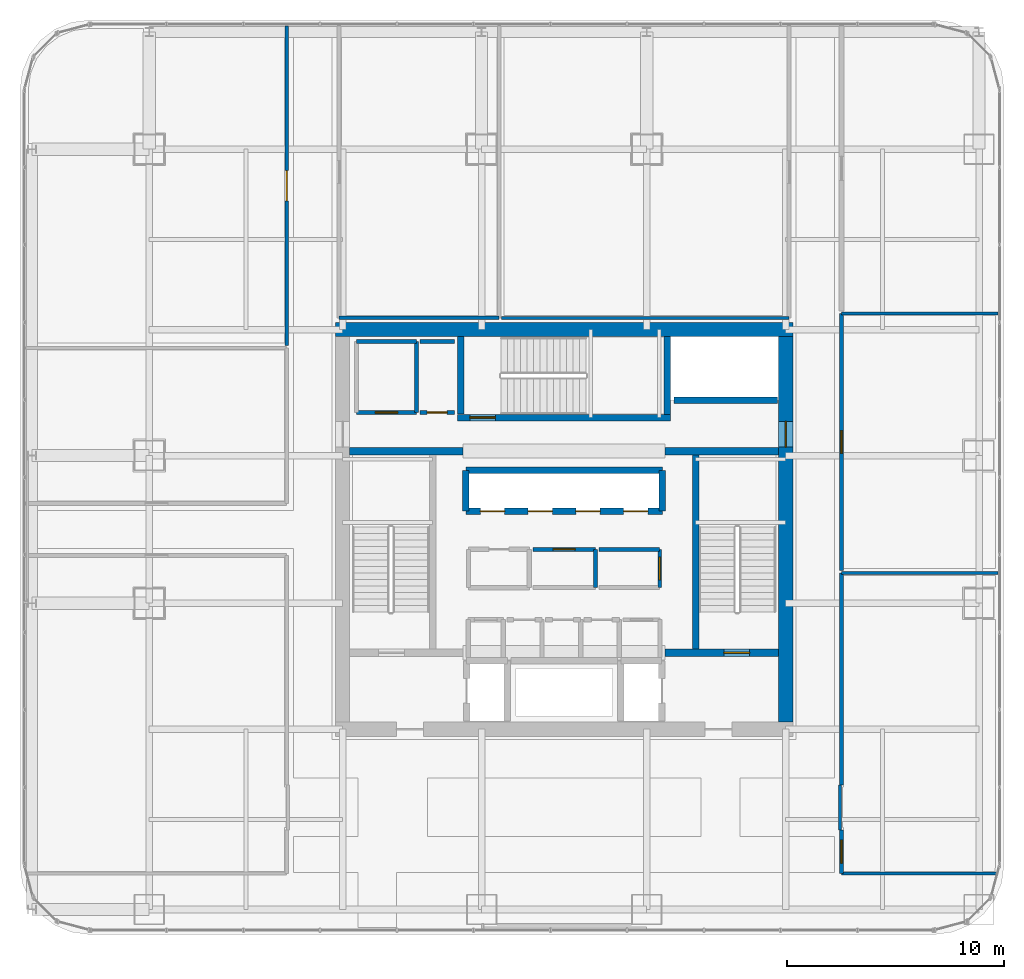
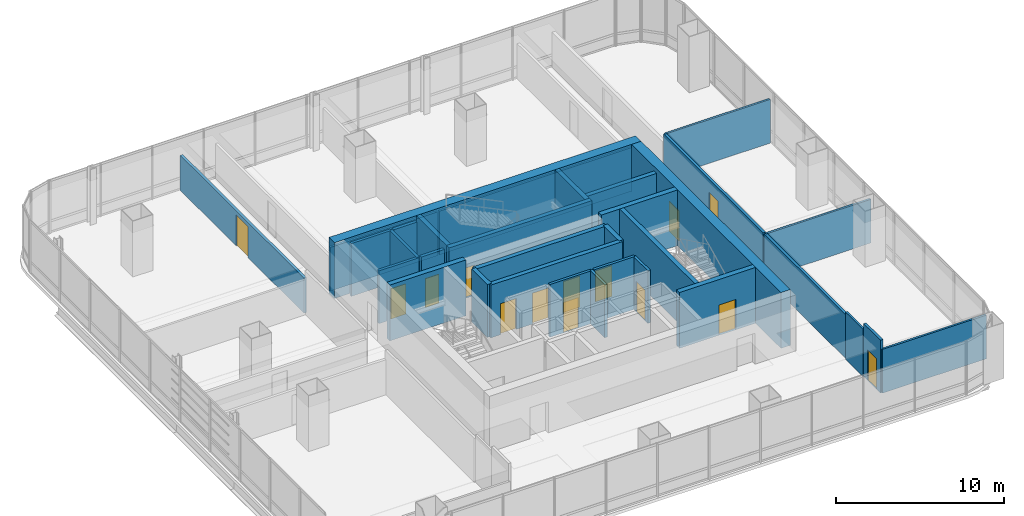
# One storey, part 31 of 38: 33 walls, 14 doors, 14 openings.
"""IFC4 building model written with IfcOpenShell, lengths in metres."""

from ifc_helpers import new_model, si_unit, direction, frame, frame_2d, origin, place, context, subcontext, project, spatial, rectangle, extrude, material, layer, layer_set, type_object, element, fill, save


model = new_model("IFC4")

# Units and contexts
model_context = context("Model", 3, precision=1e-05, world=origin(), true_north=direction((0.0, 1.0)))
body_context = subcontext(model_context, "Body", "Model", "MODEL_VIEW")
ifc_project = project(units=[si_unit("LENGTHUNIT", "METRE"), si_unit("AREAUNIT", "SQUARE_METRE"), si_unit("VOLUMEUNIT", "CUBIC_METRE"), si_unit("PLANEANGLEUNIT", "RADIAN"), si_unit("MASSUNIT", "GRAM", prefix="KILO")], contexts=[model_context])

# Site, building, storey
site_placement = place(None, origin())
site = spatial("IfcSite", under=ifc_project, at=site_placement, CompositionType="ELEMENT")
building_placement = place(site_placement, origin())
building = spatial("IfcBuilding", under=site, at=building_placement, Name="Punatoya Terracotta Tower", CompositionType="ELEMENT")
storey_placement = place(building_placement, frame((0.0, 0.0, 143.85009765625)))
storey = spatial("IfcBuildingStorey", under=building, at=storey_placement, Name="L33", CompositionType="ELEMENT", Elevation=143.85009765625)

# Wall
ifc_material_1 = material(Name="Concrete C60/75", Category="concrete")
ifc_layer_1 = layer(ifc_material_1, 0.64990234375)
ifc_layer_set_1 = layer_set([ifc_layer_1], Name="Concrete C60/75")
wall_type_1 = type_object("IfcWallType", Name="WL-COR-650", PredefinedType="SHEAR", material=ifc_layer_set_1)
wall_1_placement = place(storey_placement, frame((-10.52490234375, 9.199951171875, 0.0), z_axis=(0.0, 0.0, 1.0), x_axis=(1.0, 0.0, 0.0)))
element("IfcWall", 1, at=wall_1_placement, inside=storey, type_object=wall_type_1, Name="L33 Core Shear Wall N", PredefinedType="SHEAR", context=body_context, shape_type="SweptSolid", body=[
    extrude(rectangle(XDim=21.0498046875, YDim=0.64990234375, at=frame_2d((10.52490234375, 0.0))), origin(), (0.0, 0.0, 1.0), 4.0498046875),
])

# Wall, opening, door
wall_2_placement = place(storey_placement, frame((10.199951171875, 8.875, 0.0), z_axis=(0.0, 0.0, 1.0), x_axis=(0.0, -1.0, 0.0)))
wall_2 = element("IfcWall", 2, at=wall_2_placement, inside=storey, type_object=wall_type_1, Name="L33 Core Shear Wall E", PredefinedType="SHEAR", context=body_context, shape_type="SweptSolid", body=[
    extrude(rectangle(XDim=17.75, YDim=0.64990234375, at=frame_2d((8.875, 0.0))), origin(), (0.0, 0.0, 1.0), 4.0498046875),
])
opening_1_placement = place(wall_2_placement, frame((3.905029296875, 0.0, 0.0)))
opening_1 = element("IfcOpeningElement", 3, at=opening_1_placement, cuts=wall_2, Name="Opening SD-01", PredefinedType="OPENING", context=body_context, shape_type="SweptSolid", body=[
    extrude(rectangle(XDim=1.179931640625, YDim=2.199951171875, at=frame_2d((0.58984375, 1.10009765625))), frame((0.0, 0.3349609375, 0.0), z_axis=(0.0, -1.0, 0.0), x_axis=(1.0, 0.0, 0.0)), (0.0, 0.0, 1.0), 0.669921875),
])
ifc_material_2 = material(Name="Galvanised Steel Pressurized Stair Fire Door", Category="steel")
door_type_1 = type_object("IfcDoorType", Name="DR-STR-1180", OperationType="NOTDEFINED", PredefinedType="DOOR", material=ifc_material_2)
door_1_placement = place(opening_1_placement, origin())
door_1 = element("IfcDoor", 4, at=door_1_placement, inside=storey, type_object=door_type_1, Name="L33 Central Lift Lobby East Fire Door", OperationType="SINGLE_SWING_RIGHT", OverallHeight=2.199951171875, OverallWidth=1.179931640625, PredefinedType="DOOR", context=body_context, shape_type="SweptSolid", body=[
    extrude(rectangle(XDim=1.179931640625, YDim=2.199951171875, at=frame_2d((0.58984375, 1.10009765625))), frame((0.0, 0.02490234375, 0.0), z_axis=(0.0, -1.0, 0.0), x_axis=(1.0, 0.0, 0.0)), (0.0, 0.0, 1.0), 0.050048828125),
])
fill(opening_1, door_1)

# Wall
ifc_material_3 = material(Name="Gypsum Fireboard + Steel Stud", Category="steel")
ifc_layer_2 = layer(ifc_material_3, 0.179931640625)
ifc_layer_set_2 = layer_set([ifc_layer_2], Name="Gypsum Fireboard + Steel Stud")
wall_type_2 = type_object("IfcWallType", Name="WL-CORR-180", PredefinedType="PARTITIONING", material=ifc_layer_set_2)
wall_3_placement = place(storey_placement, frame((1.43994140625, -2.679931640625, 0.0), z_axis=(0.0, 0.0, 1.0), x_axis=(0.0, 1.0, 0.0)))
element("IfcWall", 5, at=wall_3_placement, inside=storey, type_object=wall_type_2, Name="L33 Center Core Briefing Pod Partition 16", PredefinedType="PARTITIONING", context=body_context, shape_type="SweptSolid", body=[
    extrude(rectangle(XDim=1.760009765625, YDim=0.179931640625, at=frame_2d((0.8798828125, 0.0))), origin(), (0.0, 0.0, 1.0), 3.829833984375),
])

# Wall, opening, door
wall_4_placement = place(storey_placement, frame((1.43994140625, -0.919921875, 0.0), z_axis=(0.0, 0.0, 1.0), x_axis=(-1.0, 0.0, 0.0)))
wall_4 = element("IfcWall", 6, at=wall_4_placement, inside=storey, type_object=wall_type_2, Name="L33 Center Core Briefing Pod Partition 17", PredefinedType="PARTITIONING", context=body_context, shape_type="SweptSolid", body=[
    extrude(rectangle(XDim=2.8798828125, YDim=0.179931640625, at=frame_2d((1.43994140625, 0.0))), origin(), (0.0, 0.0, 1.0), 3.829833984375),
])
opening_2_placement = place(wall_4_placement, frame((0.929931640625, 0.0, 0.0)))
opening_2 = element("IfcOpeningElement", 7, at=opening_2_placement, cuts=wall_4, Name="Opening MD-01", PredefinedType="OPENING", context=body_context, shape_type="SweptSolid", body=[
    extrude(rectangle(XDim=1.02001953125, YDim=2.199951171875, at=frame_2d((0.510009765625, 1.10009765625))), frame((0.0, 0.099853515625, 0.0), z_axis=(0.0, -1.0, 0.0), x_axis=(1.0, 0.0, 0.0)), (0.0, 0.0, 1.0), 0.199951171875),
])
ifc_material_4 = material(Name="Aluminium + Acoustic Glass Leaf", Category="aluminium")
door_type_2 = type_object("IfcDoorType", Name="DR-MTG-1020", OperationType="NOTDEFINED", PredefinedType="DOOR", material=ifc_material_4)
door_2_placement = place(opening_2_placement, origin())
door_2 = element("IfcDoor", 8, at=door_2_placement, inside=storey, type_object=door_type_2, Name="L33 Center Briefing Pod Door", OperationType="SINGLE_SWING_LEFT", OverallHeight=2.199951171875, OverallWidth=1.02001953125, PredefinedType="DOOR", context=body_context, shape_type="SweptSolid", body=[
    extrude(rectangle(XDim=1.02001953125, YDim=2.199951171875, at=frame_2d((0.510009765625, 1.10009765625))), frame((0.0, 0.02490234375, 0.0), z_axis=(0.0, -1.0, 0.0), x_axis=(1.0, 0.0, 0.0)), (0.0, 0.0, 1.0), 0.050048828125),
])
fill(opening_2, door_2)

wall_5_placement = place(storey_placement, frame((4.39990234375, -2.679931640625, 0.0), z_axis=(0.0, 0.0, 1.0), x_axis=(0.0, 1.0, 0.0)))
wall_5 = element("IfcWall", 9, at=wall_5_placement, inside=storey, type_object=wall_type_2, Name="L33 Right Core Copy Room Partition 19", PredefinedType="PARTITIONING", context=body_context, shape_type="SweptSolid", body=[
    extrude(rectangle(XDim=1.760009765625, YDim=0.179931640625, at=frame_2d((0.8798828125, 0.0))), origin(), (0.0, 0.0, 1.0), 3.829833984375),
])
opening_3_placement = place(wall_5_placement, frame((0.35498046875, 0.0, 0.0)))
opening_3 = element("IfcOpeningElement", 10, at=opening_3_placement, cuts=wall_5, Name="Opening OD-01", PredefinedType="OPENING", context=body_context, shape_type="SweptSolid", body=[
    extrude(rectangle(XDim=1.050048828125, YDim=2.199951171875, at=frame_2d((0.52490234375, 1.10009765625))), frame((0.0, 0.099853515625, 0.0), z_axis=(0.0, -1.0, 0.0), x_axis=(1.0, 0.0, 0.0)), (0.0, 0.0, 1.0), 0.199951171875),
])
ifc_material_5 = material(Name="Bengal Teak Solid-Core Leaf")
door_type_3 = type_object("IfcDoorType", Name="DR-OFF-1050", OperationType="NOTDEFINED", PredefinedType="DOOR", material=ifc_material_5)
door_3_placement = place(opening_3_placement, origin())
door_3 = element("IfcDoor", 11, at=door_3_placement, inside=storey, type_object=door_type_3, Name="L33 Right Copy Room Door", OperationType="SINGLE_SWING_RIGHT", OverallHeight=2.199951171875, OverallWidth=1.050048828125, PredefinedType="DOOR", context=body_context, shape_type="SweptSolid", body=[
    extrude(rectangle(XDim=1.050048828125, YDim=2.199951171875, at=frame_2d((0.52490234375, 1.10009765625))), frame((0.0, 0.02490234375, 0.0), z_axis=(0.0, -1.0, 0.0), x_axis=(1.0, 0.0, 0.0)), (0.0, 0.0, 1.0), 0.050048828125),
])
fill(opening_3, door_3)

# Walls
wall_6_placement = place(storey_placement, frame((4.39990234375, -0.919921875, 0.0), z_axis=(0.0, 0.0, 1.0), x_axis=(-1.0, 0.0, 0.0)))
element("IfcWall", 12, at=wall_6_placement, inside=storey, type_object=wall_type_2, Name="L33 Right Core Copy Room Partition 20", PredefinedType="PARTITIONING", context=body_context, shape_type="SweptSolid", body=[
    extrude(rectangle(XDim=2.7998046875, YDim=0.179931640625, at=frame_2d((1.39990234375, 0.0))), origin(), (0.0, 0.0, 1.0), 3.829833984375),
])
wall_7_placement = place(storey_placement, frame((-6.800048828125, 5.3798828125, 0.0), z_axis=(0.0, 0.0, 1.0), x_axis=(0.0, 1.0, 0.0)))
element("IfcWall", 13, at=wall_7_placement, inside=storey, type_object=wall_type_2, Name="L33 West Core Briefing Pod Partition 22", PredefinedType="PARTITIONING", context=body_context, shape_type="SweptSolid", body=[
    extrude(rectangle(XDim=3.27001953125, YDim=0.179931640625, at=frame_2d((1.635009765625, 0.0))), origin(), (0.0, 0.0, 1.0), 3.829833984375),
])
wall_8_placement = place(storey_placement, frame((-6.800048828125, 8.64990234375, 0.0), z_axis=(0.0, 0.0, 1.0), x_axis=(-1.0, 0.0, 0.0)))
element("IfcWall", 14, at=wall_8_placement, inside=storey, type_object=wall_type_2, Name="L33 West Core Briefing Pod Partition 23", PredefinedType="PARTITIONING", context=body_context, shape_type="SweptSolid", body=[
    extrude(rectangle(XDim=2.75, YDim=0.179931640625, at=frame_2d((1.375, 0.0))), origin(), (0.0, 0.0, 1.0), 3.829833984375),
])

# Wall, opening, door
wall_9_placement = place(storey_placement, frame((-9.550048828125, 5.3798828125, 0.0), z_axis=(0.0, 0.0, 1.0), x_axis=(1.0, 0.0, 0.0)))
wall_9 = element("IfcWall", 15, at=wall_9_placement, inside=storey, type_object=wall_type_2, Name="L33 West Core Briefing Pod Partition 25", PredefinedType="PARTITIONING", context=body_context, shape_type="SweptSolid", body=[
    extrude(rectangle(XDim=2.75, YDim=0.179931640625, at=frame_2d((1.375, 0.0))), origin(), (0.0, 0.0, 1.0), 3.829833984375),
])
opening_4_placement = place(wall_9_placement, frame((0.864990234375, 0.0, 0.0)))
opening_4 = element("IfcOpeningElement", 16, at=opening_4_placement, cuts=wall_9, Name="Opening MD-01", PredefinedType="OPENING", context=body_context, shape_type="SweptSolid", body=[
    extrude(rectangle(XDim=1.02001953125, YDim=2.199951171875, at=frame_2d((0.510009765625, 1.10009765625))), frame((0.0, 0.099853515625, 0.0), z_axis=(0.0, -1.0, 0.0), x_axis=(1.0, 0.0, 0.0)), (0.0, 0.0, 1.0), 0.199951171875),
])
door_4_placement = place(opening_4_placement, origin())
door_4 = element("IfcDoor", 17, at=door_4_placement, inside=storey, type_object=door_type_2, Name="L33 West Briefing Pod Door", OperationType="SINGLE_SWING_LEFT", OverallHeight=2.199951171875, OverallWidth=1.02001953125, PredefinedType="DOOR", context=body_context, shape_type="SweptSolid", body=[
    extrude(rectangle(XDim=1.02001953125, YDim=2.199951171875, at=frame_2d((0.510009765625, 1.10009765625))), frame((0.0, 0.02490234375, 0.0), z_axis=(0.0, -1.0, 0.0), x_axis=(1.0, 0.0, 0.0)), (0.0, 0.0, 1.0), 0.050048828125),
])
fill(opening_4, door_4)

wall_10_placement = place(storey_placement, frame((12.77001953125, -15.840087890625, 0.0), z_axis=(0.0, 0.0, 1.0), x_axis=(0.0, 1.0, 0.0)))
wall_10 = element("IfcWall", 18, at=wall_10_placement, inside=storey, type_object=wall_type_2, Name="L33 Open-Plan Computational Simulation Laboratory Partition 29", PredefinedType="PARTITIONING", context=body_context, shape_type="SweptSolid", body=[
    extrude(rectangle(XDim=2.010009765625, YDim=0.179931640625, at=frame_2d((1.0048828125, 0.0))), origin(), (0.0, 0.0, 1.0), 3.829833984375),
])
opening_5_placement = place(wall_10_placement, frame((0.47998046875, 0.0, 0.0)))
opening_5 = element("IfcOpeningElement", 19, at=opening_5_placement, cuts=wall_10, Name="Opening OD-01", PredefinedType="OPENING", context=body_context, shape_type="SweptSolid", body=[
    extrude(rectangle(XDim=1.050048828125, YDim=2.199951171875, at=frame_2d((0.52490234375, 1.10009765625))), frame((0.0, 0.099853515625, 0.0), z_axis=(0.0, -1.0, 0.0), x_axis=(1.0, 0.0, 0.0)), (0.0, 0.0, 1.0), 0.199951171875),
])
door_5_placement = place(opening_5_placement, origin())
door_5 = element("IfcDoor", 20, at=door_5_placement, inside=storey, type_object=door_type_3, Name="L33 Open-Plan Computational Simulation Laboratory Door", OperationType="SINGLE_SWING_LEFT", OverallHeight=2.199951171875, OverallWidth=1.050048828125, PredefinedType="DOOR", context=body_context, shape_type="SweptSolid", body=[
    extrude(rectangle(XDim=1.050048828125, YDim=2.199951171875, at=frame_2d((0.52490234375, 1.10009765625))), frame((0.0, 0.02490234375, 0.0), z_axis=(0.0, -1.0, 0.0), x_axis=(1.0, 0.0, 0.0)), (0.0, 0.0, 1.0), 0.050048828125),
])
fill(opening_5, door_5)

# Wall
wall_11_placement = place(storey_placement, frame((12.77001953125, -11.77001953125, 0.0), z_axis=(0.0, 0.0, 1.0), x_axis=(0.0, 1.0, 0.0)))
element("IfcWall", 21, at=wall_11_placement, inside=storey, type_object=wall_type_2, Name="L33 Open-Plan Computational Simulation Laboratory Partition 31", PredefinedType="PARTITIONING", context=body_context, shape_type="SweptSolid", body=[
    extrude(rectangle(XDim=9.757080078125, YDim=0.179931640625, at=frame_2d((4.87841796875, 0.0))), origin(), (0.0, 0.0, 1.0), 3.173828125),
])

# Wall, opening, door
wall_12_placement = place(storey_placement, frame((12.77001953125, -1.89306640625, 0.0), z_axis=(0.0, 0.0, 1.0), x_axis=(0.0, 1.0, 0.0)))
wall_12 = element("IfcWall", 22, at=wall_12_placement, inside=storey, type_object=wall_type_2, Name="L33 Open-Plan Materials Testing Laboratory Partition 38", PredefinedType="PARTITIONING", context=body_context, shape_type="SweptSolid", body=[
    extrude(rectangle(XDim=11.8349609375, YDim=0.179931640625, at=frame_2d((5.91748046875, 0.0))), origin(), (0.0, 0.0, 1.0), 3.173828125),
])
opening_6_placement = place(wall_12_placement, frame((5.392578125, 0.0, 0.0)))
opening_6 = element("IfcOpeningElement", 23, at=opening_6_placement, cuts=wall_12, Name="Opening OD-01", PredefinedType="OPENING", context=body_context, shape_type="SweptSolid", body=[
    extrude(rectangle(XDim=1.050048828125, YDim=2.199951171875, at=frame_2d((0.52490234375, 1.10009765625))), frame((0.0, 0.099853515625, 0.0), z_axis=(0.0, -1.0, 0.0), x_axis=(1.0, 0.0, 0.0)), (0.0, 0.0, 1.0), 0.199951171875),
])
door_6_placement = place(opening_6_placement, origin())
door_6 = element("IfcDoor", 24, at=door_6_placement, inside=storey, type_object=door_type_3, Name="L33 Open-Plan Materials Testing Laboratory Door", OperationType="SINGLE_SWING_LEFT", OverallHeight=2.199951171875, OverallWidth=1.050048828125, PredefinedType="DOOR", context=body_context, shape_type="SweptSolid", body=[
    extrude(rectangle(XDim=1.050048828125, YDim=2.199951171875, at=frame_2d((0.52490234375, 1.10009765625))), frame((0.0, 0.02490234375, 0.0), z_axis=(0.0, -1.0, 0.0), x_axis=(1.0, 0.0, 0.0)), (0.0, 0.0, 1.0), 0.050048828125),
])
fill(opening_6, door_6)

wall_13_placement = place(storey_placement, frame((-12.77001953125, 23.169921875, 0.0), z_axis=(0.0, 0.0, 1.0), x_axis=(0.0, -1.0, 0.0)))
wall_13 = element("IfcWall", 25, at=wall_13_placement, inside=storey, type_object=wall_type_2, Name="L33 Technical Seminar Room Partition 43", PredefinedType="PARTITIONING", context=body_context, shape_type="SweptSolid", body=[
    extrude(rectangle(XDim=14.700927734375, YDim=0.179931640625, at=frame_2d((7.3505859375, 0.0))), origin(), (0.0, 0.0, 1.0), 2.5439453125),
])
opening_7_placement = place(wall_13_placement, frame((6.650390625, 0.0, 0.0)))
opening_7 = element("IfcOpeningElement", 26, at=opening_7_placement, cuts=wall_13, Name="Opening BD-01", PredefinedType="OPENING", context=body_context, shape_type="SweptSolid", body=[
    extrude(rectangle(XDim=1.39990234375, YDim=2.25, at=frame_2d((0.699951171875, 1.125))), frame((0.0, 0.099853515625, 0.0), z_axis=(0.0, -1.0, 0.0), x_axis=(1.0, 0.0, 0.0)), (0.0, 0.0, 1.0), 0.199951171875),
])
ifc_material_6 = material(Name="Bengal Teak Acoustic Leaf")
door_type_4 = type_object("IfcDoorType", Name="DR-BRD-1400", OperationType="NOTDEFINED", PredefinedType="DOOR", material=ifc_material_6)
door_7_placement = place(opening_7_placement, origin())
door_7 = element("IfcDoor", 27, at=door_7_placement, inside=storey, type_object=door_type_4, Name="L33 Technical Seminar Room Door", OperationType="SINGLE_SWING_LEFT", OverallHeight=2.25, OverallWidth=1.39990234375, PredefinedType="DOOR", context=body_context, shape_type="SweptSolid", body=[
    extrude(rectangle(XDim=1.39990234375, YDim=2.25, at=frame_2d((0.699951171875, 1.125))), frame((0.0, 0.02490234375, 0.0), z_axis=(0.0, -1.0, 0.0), x_axis=(1.0, 0.0, 0.0)), (0.0, 0.0, 1.0), 0.050048828125),
])
fill(opening_7, door_7)

# Wall
ifc_material_7 = material(Name="Concrete C40/50", Category="concrete")
ifc_layer_3 = layer(ifc_material_7, 0.199951171875)
ifc_layer_set_3 = layer_set([ifc_layer_3], Name="Concrete C40/50")
wall_type_3 = type_object("IfcWallType", Name="WL-INT-200", PredefinedType="SOLIDWALL", material=ifc_layer_set_3)
wall_14_placement = place(storey_placement, frame((-5.050048828125, 8.64990234375, 0.0), z_axis=(0.0, 0.0, 1.0), x_axis=(-1.0, 0.0, 0.0)))
element("IfcWall", 28, at=wall_14_placement, inside=storey, type_object=wall_type_3, Name="L33 West Core Supply Store Partition 26", PredefinedType="SOLIDWALL", context=body_context, shape_type="SweptSolid", body=[
    extrude(rectangle(XDim=1.58984375, YDim=0.199951171875, at=frame_2d((0.794921875, 0.0))), origin(), (0.0, 0.0, 1.0), 3.829833984375),
])

# Wall, opening, door
wall_15_placement = place(storey_placement, frame((-6.639892578125, 5.3798828125, 0.0), z_axis=(0.0, 0.0, 1.0), x_axis=(1.0, 0.0, 0.0)))
wall_15 = element("IfcWall", 29, at=wall_15_placement, inside=storey, type_object=wall_type_3, Name="L33 West Core Supply Store Partition 27", PredefinedType="SOLIDWALL", context=body_context, shape_type="SweptSolid", body=[
    extrude(rectangle(XDim=1.58984375, YDim=0.199951171875, at=frame_2d((0.794921875, 0.0))), origin(), (0.0, 0.0, 1.0), 3.829833984375),
])
opening_8_placement = place(wall_15_placement, frame((0.3349609375, 0.0, 0.0)))
opening_8 = element("IfcOpeningElement", 30, at=opening_8_placement, cuts=wall_15, Name="Opening FD-R1", PredefinedType="OPENING", context=body_context, shape_type="SweptSolid", body=[
    extrude(rectangle(XDim=0.919921875, YDim=2.10009765625, at=frame_2d((0.4599609375, 1.050048828125))), frame((0.0, 0.10986328125, 0.0), z_axis=(0.0, -1.0, 0.0), x_axis=(1.0, 0.0, 0.0)), (0.0, 0.0, 1.0), 0.219970703125),
])
ifc_material_8 = material(Name="Galvanised Steel Riser Fire Access Door", Category="steel")
door_type_5 = type_object("IfcDoorType", Name="DR-RSR-920", OperationType="NOTDEFINED", PredefinedType="DOOR", material=ifc_material_8)
door_8_placement = place(opening_8_placement, origin())
door_8 = element("IfcDoor", 31, at=door_8_placement, inside=storey, type_object=door_type_5, Name="L33 West Core Supply Store Fire Door", OperationType="SINGLE_SWING_RIGHT", OverallHeight=2.10009765625, OverallWidth=0.919921875, PredefinedType="DOOR", context=body_context, shape_type="SweptSolid", body=[
    extrude(rectangle(XDim=0.919921875, YDim=2.10009765625, at=frame_2d((0.4599609375, 1.050048828125))), frame((0.0, 0.02490234375, 0.0), z_axis=(0.0, -1.0, 0.0), x_axis=(1.0, 0.0, 0.0)), (0.0, 0.0, 1.0), 0.050048828125),
])
fill(opening_8, door_8)

# Walls
ifc_material_9 = material(Name="Acoustic Gypsum + Steel Stud", Category="steel")
ifc_layer_4 = layer(ifc_material_9, 0.139892578125)
ifc_layer_set_4 = layer_set([ifc_layer_4], Name="Acoustic Gypsum + Steel Stud")
wall_type_4 = type_object("IfcWallType", Name="WL-OFF-140", PredefinedType="PARTITIONING", material=ifc_layer_set_4)
wall_16_placement = place(storey_placement, frame((19.916259765625, -15.840087890625, 0.0), z_axis=(0.0, 0.0, 1.0), x_axis=(-1.0, 0.0, 0.0)))
element("IfcWall", 32, at=wall_16_placement, inside=storey, type_object=wall_type_4, Name="L33 Open-Plan Computational Simulation Laboratory Partition 28", PredefinedType="PARTITIONING", context=body_context, shape_type="SweptSolid", body=[
    extrude(rectangle(XDim=7.146240234375, YDim=0.139892578125, at=frame_2d((3.5732421875, 0.0))), origin(), (0.0, 0.0, 1.0), 3.173828125),
])
wall_17_placement = place(storey_placement, frame((12.7099609375, -13.830078125, 0.0), z_axis=(0.0, 0.0, 1.0), x_axis=(0.0, 1.0, 0.0)))
element("IfcWall", 33, at=wall_17_placement, inside=storey, type_object=wall_type_4, Name="L33 Open-Plan Computational Simulation Laboratory Partition 30", PredefinedType="PARTITIONING", context=body_context, shape_type="SweptSolid", body=[
    extrude(rectangle(XDim=2.06005859375, YDim=0.139892578125, at=frame_2d((1.030029296875, 0.0))), origin(), (0.0, 0.0, 1.0), 3.423828125),
])
for number, where, z_axis, x_axis, name in (
    (34, (12.77001953125, -2.012939453125, 0.0), (0.0, 0.0, 1.0), (1.0, 0.0, 0.0), "L33 Open-Plan Computational Simulation Laboratory Partition 32"),
    (35, (12.77001953125, 9.94189453125, 0.0), (0.0, 0.0, 1.0), (1.0, 0.0, 0.0), "L33 Open-Plan Materials Testing Laboratory Partition 39"),
):
    element("IfcWall", number, at=place(storey_placement, frame(where, z_axis=z_axis, x_axis=x_axis)), inside=storey, type_object=wall_type_4, Name=name, PredefinedType="PARTITIONING", context=body_context, shape_type="SweptSolid", body=[
        extrude(rectangle(XDim=7.199951171875, YDim=0.139892578125, at=frame_2d((3.60009765625, 0.0))), origin(), (0.0, 0.0, 1.0), 3.173828125),
    ])
wall_18_placement = place(storey_placement, frame((10.360107421875, 9.739990234375, 0.0), z_axis=(0.0, 0.0, 1.0), x_axis=(-1.0, 0.0, 0.0)))
element("IfcWall", 36, at=wall_18_placement, inside=storey, type_object=wall_type_4, Name="L33 Wellness Rest Room Partition 47", PredefinedType="PARTITIONING", context=body_context, shape_type="SweptSolid", body=[
    extrude(rectangle(XDim=13.234130859375, YDim=0.139892578125, at=frame_2d((6.6171875, 0.0))), origin(), (0.0, 0.0, 1.0), 3.173828125),
])
ifc_layer_5 = layer(ifc_material_7, 0.300048828125)
ifc_layer_set_5 = layer_set([ifc_layer_5], Name="Concrete C40/50")
wall_type_5 = type_object("IfcWallType", Name="WL-SHF-300", PredefinedType="SOLIDWALL", material=ifc_layer_set_5)
wall_19_placement = place(storey_placement, frame((6.050048828125, 3.449951171875, 0.0), z_axis=(0.0, 0.0, 1.0), x_axis=(0.0, -1.0, 0.0)))
element("IfcWall", 37, at=wall_19_placement, inside=storey, type_object=wall_type_5, Name="L33 Structural Stair Shaft Wall SW-ST2-W", PredefinedType="SOLIDWALL", context=body_context, shape_type="SweptSolid", body=[
    extrude(rectangle(XDim=8.949951171875, YDim=0.300048828125, at=frame_2d((4.47509765625, 0.0))), origin(), (0.0, 0.0, 1.0), 4.0498046875),
])
for number, where, z_axis, x_axis, name in (
    (38, (-4.75, 5.300048828125, 0.0), (0.0, 0.0, 1.0), (0.0, 1.0, 0.0), "L33 Structural Stair Shaft Wall SW-ST3-W"),
    (39, (4.75, 8.875, 0.0), (0.0, 0.0, 1.0), (0.0, -1.0, 0.0), "L33 Structural Stair Shaft Wall SW-ST3-E"),
):
    element("IfcWall", number, at=place(storey_placement, frame(where, z_axis=z_axis, x_axis=x_axis)), inside=storey, type_object=wall_type_5, Name=name, PredefinedType="SOLIDWALL", context=body_context, shape_type="SweptSolid", body=[
        extrude(rectangle(XDim=3.574951171875, YDim=0.300048828125, at=frame_2d((1.78759765625, 0.0))), origin(), (0.0, 0.0, 1.0), 4.0498046875),
    ])

# Wall, opening, door
wall_20_placement = place(storey_placement, frame((-4.89990234375, 5.14990234375, 0.0), z_axis=(0.0, 0.0, 1.0), x_axis=(1.0, 0.0, 0.0)))
wall_20 = element("IfcWall", 40, at=wall_20_placement, inside=storey, type_object=wall_type_5, Name="L33 Structural Stair Shaft Wall SW-ST3-S", PredefinedType="SOLIDWALL", context=body_context, shape_type="SweptSolid", body=[
    extrude(rectangle(XDim=9.7998046875, YDim=0.300048828125, at=frame_2d((4.89990234375, 0.0))), origin(), (0.0, 0.0, 1.0), 4.0498046875),
])
opening_9_placement = place(wall_20_placement, frame((0.56005859375, 0.0, 0.0)))
opening_9 = element("IfcOpeningElement", 41, at=opening_9_placement, cuts=wall_20, Name="Opening SD-01", PredefinedType="OPENING", context=body_context, shape_type="SweptSolid", body=[
    extrude(rectangle(XDim=1.179931640625, YDim=2.199951171875, at=frame_2d((0.58984375, 1.10009765625))), frame((0.0, 0.159912109375, 0.0), z_axis=(0.0, -1.0, 0.0), x_axis=(1.0, 0.0, 0.0)), (0.0, 0.0, 1.0), 0.320068359375),
])
door_9_placement = place(opening_9_placement, origin())
door_9 = element("IfcDoor", 42, at=door_9_placement, inside=storey, type_object=door_type_1, Name="L33 Stair ST-3 Core Lobby Fire Door", OperationType="SINGLE_SWING_LEFT", OverallHeight=2.199951171875, OverallWidth=1.179931640625, PredefinedType="DOOR", context=body_context, shape_type="SweptSolid", body=[
    extrude(rectangle(XDim=1.179931640625, YDim=2.199951171875, at=frame_2d((0.58984375, 1.10009765625))), frame((0.0, 0.02490234375, 0.0), z_axis=(0.0, -1.0, 0.0), x_axis=(1.0, 0.0, 0.0)), (0.0, 0.0, 1.0), 0.050048828125),
])
fill(opening_9, door_9)

# Wall, openings, doors
wall_21_placement = place(storey_placement, frame((-4.52001953125, 0.840087890625, 0.0), z_axis=(0.0, 0.0, 1.0), x_axis=(1.0, 0.0, 0.0)))
wall_21 = element("IfcWall", 43, at=wall_21_placement, inside=storey, type_object=wall_type_5, Name="L33 North Lift Bank Front Shaft Wall", PredefinedType="SOLIDWALL", context=body_context, shape_type="SweptSolid", body=[
    extrude(rectangle(XDim=9.0400390625, YDim=0.300048828125, at=frame_2d((4.52001953125, 0.0))), origin(), (0.0, 0.0, 1.0), 3.829833984375),
])
opening_10_placement = place(wall_21_placement, frame((0.659912109375, 0.0, 0.0)))
opening_10 = element("IfcOpeningElement", 44, at=opening_10_placement, cuts=wall_21, Name="Opening LD-02", PredefinedType="OPENING", context=body_context, shape_type="SweptSolid", body=[
    extrude(rectangle(XDim=1.1201171875, YDim=2.25, at=frame_2d((0.56005859375, 1.125))), frame((0.0, 0.159912109375, 0.0), z_axis=(0.0, -1.0, 0.0), x_axis=(1.0, 0.0, 0.0)), (0.0, 0.0, 1.0), 0.320068359375),
])
opening_11_placement = place(wall_21_placement, frame((2.860107421875, 0.0, 0.0)))
opening_11 = element("IfcOpeningElement", 45, at=opening_11_placement, cuts=wall_21, Name="Opening LD-02", PredefinedType="OPENING", context=body_context, shape_type="SweptSolid", body=[
    extrude(rectangle(XDim=1.1201171875, YDim=2.25, at=frame_2d((0.56005859375, 1.125))), frame((0.0, 0.159912109375, 0.0), z_axis=(0.0, -1.0, 0.0), x_axis=(1.0, 0.0, 0.0)), (0.0, 0.0, 1.0), 0.320068359375),
])
opening_12_placement = place(wall_21_placement, frame((5.06005859375, 0.0, 0.0)))
opening_12 = element("IfcOpeningElement", 46, at=opening_12_placement, cuts=wall_21, Name="Opening LD-02", PredefinedType="OPENING", context=body_context, shape_type="SweptSolid", body=[
    extrude(rectangle(XDim=1.1201171875, YDim=2.25, at=frame_2d((0.56005859375, 1.125))), frame((0.0, 0.159912109375, 0.0), z_axis=(0.0, -1.0, 0.0), x_axis=(1.0, 0.0, 0.0)), (0.0, 0.0, 1.0), 0.320068359375),
])
opening_13_placement = place(wall_21_placement, frame((7.260009765625, 0.0, 0.0)))
opening_13 = element("IfcOpeningElement", 47, at=opening_13_placement, cuts=wall_21, Name="Opening LD-02", PredefinedType="OPENING", context=body_context, shape_type="SweptSolid", body=[
    extrude(rectangle(XDim=1.1201171875, YDim=2.25, at=frame_2d((0.56005859375, 1.125))), frame((0.0, 0.159912109375, 0.0), z_axis=(0.0, -1.0, 0.0), x_axis=(1.0, 0.0, 0.0)), (0.0, 0.0, 1.0), 0.320068359375),
])
ifc_material_10 = material(Name="Stainless Steel Lift Landing Door", Category="steel")
door_type_6 = type_object("IfcDoorType", Name="DR-LND-1120", OperationType="NOTDEFINED", PredefinedType="DOOR", material=ifc_material_10)
door_10_placement = place(opening_10_placement, origin())
door_10 = element("IfcDoor", 48, at=door_10_placement, inside=storey, type_object=door_type_6, Name="L33 Lift PL-M1 Sliding Landing Door", OperationType="DOUBLE_DOOR_SLIDING", OverallHeight=2.25, OverallWidth=1.1201171875, PredefinedType="DOOR", context=body_context, shape_type="SweptSolid", body=[
    extrude(rectangle(XDim=1.1201171875, YDim=2.25, at=frame_2d((0.56005859375, 1.125))), frame((0.0, 0.02490234375, 0.0), z_axis=(0.0, -1.0, 0.0), x_axis=(1.0, 0.0, 0.0)), (0.0, 0.0, 1.0), 0.050048828125),
])
fill(opening_10, door_10)
door_11_placement = place(opening_11_placement, origin())
door_11 = element("IfcDoor", 49, at=door_11_placement, inside=storey, type_object=door_type_6, Name="L33 Lift PL-M2 Sliding Landing Door", OperationType="DOUBLE_DOOR_SLIDING", OverallHeight=2.25, OverallWidth=1.1201171875, PredefinedType="DOOR", context=body_context, shape_type="SweptSolid", body=[
    extrude(rectangle(XDim=1.1201171875, YDim=2.25, at=frame_2d((0.56005859375, 1.125))), frame((0.0, 0.02490234375, 0.0), z_axis=(0.0, -1.0, 0.0), x_axis=(1.0, 0.0, 0.0)), (0.0, 0.0, 1.0), 0.050048828125),
])
fill(opening_11, door_11)
door_12_placement = place(opening_12_placement, origin())
door_12 = element("IfcDoor", 50, at=door_12_placement, inside=storey, type_object=door_type_6, Name="L33 Lift PL-M3 Sliding Landing Door", OperationType="DOUBLE_DOOR_SLIDING", OverallHeight=2.25, OverallWidth=1.1201171875, PredefinedType="DOOR", context=body_context, shape_type="SweptSolid", body=[
    extrude(rectangle(XDim=1.1201171875, YDim=2.25, at=frame_2d((0.56005859375, 1.125))), frame((0.0, 0.02490234375, 0.0), z_axis=(0.0, -1.0, 0.0), x_axis=(1.0, 0.0, 0.0)), (0.0, 0.0, 1.0), 0.050048828125),
])
fill(opening_12, door_12)
door_13_placement = place(opening_13_placement, origin())
door_13 = element("IfcDoor", 51, at=door_13_placement, inside=storey, type_object=door_type_6, Name="L33 Lift PL-M4 Sliding Landing Door", OperationType="DOUBLE_DOOR_SLIDING", OverallHeight=2.25, OverallWidth=1.1201171875, PredefinedType="DOOR", context=body_context, shape_type="SweptSolid", body=[
    extrude(rectangle(XDim=1.1201171875, YDim=2.25, at=frame_2d((0.56005859375, 1.125))), frame((0.0, 0.02490234375, 0.0), z_axis=(0.0, -1.0, 0.0), x_axis=(1.0, 0.0, 0.0)), (0.0, 0.0, 1.0), 0.050048828125),
])
fill(opening_13, door_13)

# Walls
wall_22_placement = place(storey_placement, frame((-4.52001953125, 2.719970703125, 0.0), z_axis=(0.0, 0.0, 1.0), x_axis=(1.0, 0.0, 0.0)))
element("IfcWall", 52, at=wall_22_placement, inside=storey, type_object=wall_type_5, Name="L33 North Lift Bank Rear Shaft Wall", PredefinedType="SOLIDWALL", context=body_context, shape_type="SweptSolid", body=[
    extrude(rectangle(XDim=9.0400390625, YDim=0.300048828125, at=frame_2d((4.52001953125, 0.0))), origin(), (0.0, 0.0, 1.0), 3.829833984375),
])
for number, where, z_axis, x_axis, name in (
    (53, (-4.52001953125, 0.840087890625, 0.0), (0.0, 0.0, 1.0), (0.0, 1.0, 0.0), "L33 North Lift Bank West End Wall"),
    (54, (4.52001953125, 0.840087890625, 0.0), (0.0, 0.0, 1.0), (0.0, 1.0, 0.0), "L33 North Lift Bank East End Wall"),
):
    element("IfcWall", number, at=place(storey_placement, frame(where, z_axis=z_axis, x_axis=x_axis)), inside=storey, type_object=wall_type_5, Name=name, PredefinedType="SOLIDWALL", context=body_context, shape_type="SweptSolid", body=[
        extrude(rectangle(XDim=1.8798828125, YDim=0.300048828125, at=frame_2d((0.93994140625, 0.0))), origin(), (0.0, 0.0, 1.0), 3.829833984375),
    ])
wall_23_placement = place(storey_placement, frame((5.06005859375, 5.949951171875, 0.0), z_axis=(0.0, 0.0, 1.0), x_axis=(1.0, 0.0, 0.0)))
element("IfcWall", 55, at=wall_23_placement, inside=storey, type_object=wall_type_5, Name="L33 Shuttle SL-2 South Hoistway Wall", PredefinedType="SOLIDWALL", context=body_context, shape_type="SweptSolid", body=[
    extrude(rectangle(XDim=4.760009765625, YDim=0.300048828125, at=frame_2d((2.3798828125, 0.0))), origin(), (0.0, 0.0, 1.0), 3.829833984375),
])

# Wall, opening, door
ifc_material_11 = material(Name="Concrete C50/60", Category="concrete")
ifc_layer_6 = layer(ifc_material_11, 0.35009765625)
ifc_layer_set_6 = layer_set([ifc_layer_6], Name="Concrete C50/60")
wall_type_6 = type_object("IfcWallType", Name="WL-SHF-350", PredefinedType="SOLIDWALL", material=ifc_layer_set_6)
wall_24_placement = place(storey_placement, frame((4.64990234375, -5.679931640625, 0.0), z_axis=(0.0, 0.0, 1.0), x_axis=(1.0, 0.0, 0.0)))
wall_24 = element("IfcWall", 56, at=wall_24_placement, inside=storey, type_object=wall_type_6, Name="L33 Core Web Wall CSW-R", PredefinedType="SOLIDWALL", context=body_context, shape_type="SweptSolid", body=[
    extrude(rectangle(XDim=5.22509765625, YDim=0.35009765625, at=frame_2d((2.612548828125, 0.0))), origin(), (0.0, 0.0, 1.0), 4.0498046875),
])
opening_14_placement = place(wall_24_placement, frame((2.7099609375, 0.0, 0.0)))
opening_14 = element("IfcOpeningElement", 57, at=opening_14_placement, cuts=wall_24, Name="Opening SD-01", PredefinedType="OPENING", context=body_context, shape_type="SweptSolid", body=[
    extrude(rectangle(XDim=1.179931640625, YDim=2.199951171875, at=frame_2d((0.58984375, 1.10009765625))), frame((0.0, 0.18505859375, 0.0), z_axis=(0.0, -1.0, 0.0), x_axis=(1.0, 0.0, 0.0)), (0.0, 0.0, 1.0), 0.3701171875),
])
door_14_placement = place(opening_14_placement, origin())
door_14 = element("IfcDoor", 58, at=door_14_placement, inside=storey, type_object=door_type_1, Name="L33 Stair ST-2 Smokeproof Lobby Fire Door", OperationType="SINGLE_SWING_RIGHT", OverallHeight=2.199951171875, OverallWidth=1.179931640625, PredefinedType="DOOR", context=body_context, shape_type="SweptSolid", body=[
    extrude(rectangle(XDim=1.179931640625, YDim=2.199951171875, at=frame_2d((0.58984375, 1.10009765625))), frame((0.0, 0.02490234375, 0.0), z_axis=(0.0, -1.0, 0.0), x_axis=(1.0, 0.0, 0.0)), (0.0, 0.0, 1.0), 0.050048828125),
])
fill(opening_14, door_14)

# Walls
for number, where, z_axis, x_axis, name in (
    (59, (-9.875, 3.60009765625, 0.0), (0.0, 0.0, 1.0), (1.0, 0.0, 0.0), "L33 Core Web Wall CNW-L"),
    (60, (4.64990234375, 3.60009765625, 0.0), (0.0, 0.0, 1.0), (1.0, 0.0, 0.0), "L33 Core Web Wall CNW-R"),
):
    element("IfcWall", number, at=place(storey_placement, frame(where, z_axis=z_axis, x_axis=x_axis)), inside=storey, type_object=wall_type_6, Name=name, PredefinedType="SOLIDWALL", context=body_context, shape_type="SweptSolid", body=[
        extrude(rectangle(XDim=5.22509765625, YDim=0.35009765625, at=frame_2d((2.612548828125, 0.0))), origin(), (0.0, 0.0, 1.0), 4.0498046875),
    ])
ifc_material_12 = material(Name="Masonry Blockwork + Ceramic Tile", Category="masonry")
ifc_layer_7 = layer(ifc_material_12, 0.159912109375)
ifc_layer_set_7 = layer_set([ifc_layer_7], Name="Masonry Blockwork + Ceramic Tile")
wall_type_7 = type_object("IfcWallType", Name="WL-WET-160", PredefinedType="PARTITIONING", material=ifc_layer_set_7)
wall_25_placement = place(storey_placement, frame((-2.993896484375, 9.739990234375, 0.0), z_axis=(0.0, 0.0, 1.0), x_axis=(-1.0, 0.0, 0.0)))
element("IfcWall", 61, at=wall_25_placement, inside=storey, type_object=wall_type_7, Name="L33 Open-Plan Laboratory Staff Pantry Partition 45", PredefinedType="PARTITIONING", context=body_context, shape_type="SweptSolid", body=[
    extrude(rectangle(XDim=7.3662109375, YDim=0.159912109375, at=frame_2d((3.68310546875, 0.0))), origin(), (0.0, 0.0, 1.0), 3.173828125),
])

save(model, "model.ifc")
